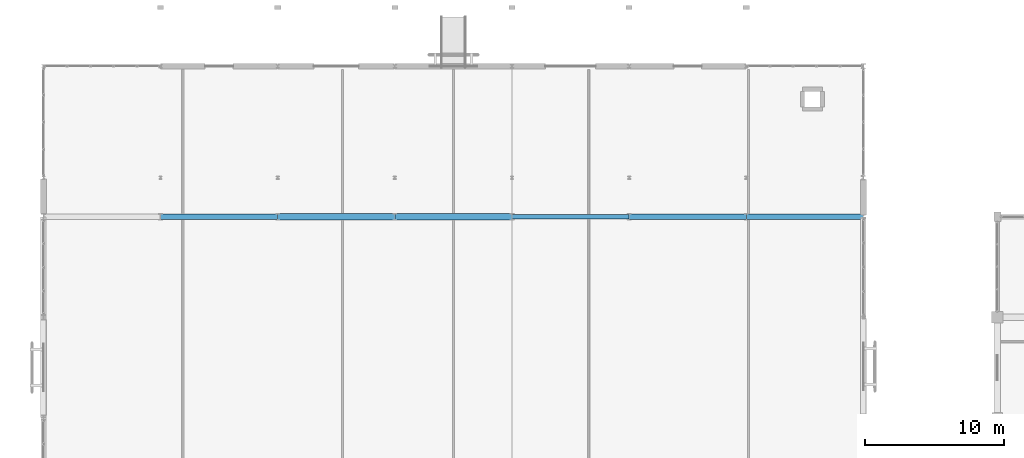
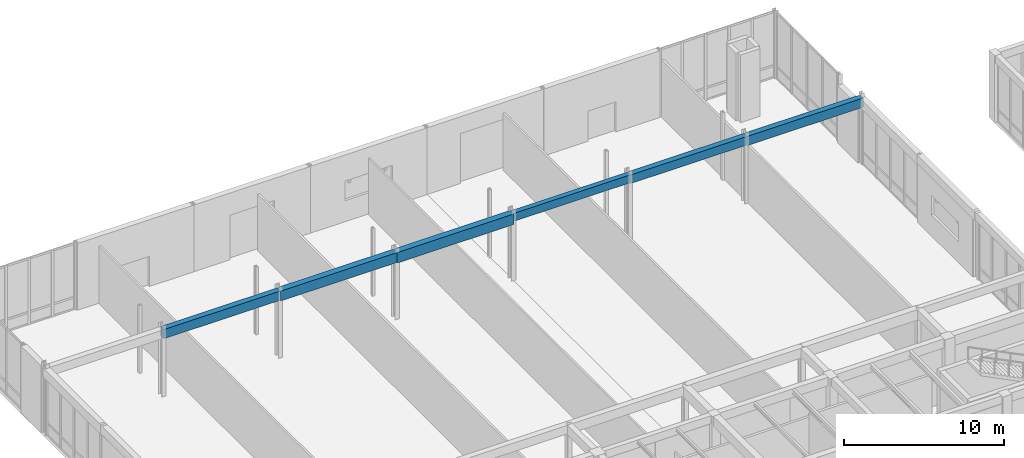
# One storey, part 81 of 169: 6 beams.
"""IFC4 building model written with IfcOpenShell, lengths in metres."""

from ifc_helpers import new_model, si_unit, direction, frame, origin, origin_2d, place, context, subcontext, project, spatial, rectangle, extrude, material, material_profile, profile_set, type_object, element, save


model = new_model("IFC4")

# Units and contexts
model_context = context("Model", 3, precision=1e-05, world=origin(), true_north=direction((0.0, 1.0)))
body_context = subcontext(model_context, "Body", "Model", "MODEL_VIEW")
ifc_project = project(units=[si_unit("LENGTHUNIT", "METRE"), si_unit("AREAUNIT", "SQUARE_METRE"), si_unit("VOLUMEUNIT", "CUBIC_METRE"), si_unit("PLANEANGLEUNIT", "RADIAN"), si_unit("MASSUNIT", "GRAM", prefix="KILO")], contexts=[model_context])

# Site, building, storey
site_placement = place(None, origin())
site = spatial("IfcSite", under=ifc_project, at=site_placement, CompositionType="ELEMENT")
building_placement = place(site_placement, origin())
building = spatial("IfcBuilding", under=site, at=building_placement, Name="Mazaris Harbour Polytechnic", CompositionType="ELEMENT")
storey_placement = place(building_placement, origin())
storey = spatial("IfcBuildingStorey", under=building, at=storey_placement, Name="L00", CompositionType="ELEMENT", Elevation=0.0)

# Beams
ifc_material_1 = material(Name="Concrete C35/45", Category="concrete")
ifc_material_profile_1 = material_profile(ifc_material_1, rectangle(XDim=0.35009765625, YDim=0.60009765625, at=origin_2d()), Name="RECT350x600")
ifc_profile_set_1 = profile_set([ifc_material_profile_1], Name="Concrete C35/45")
beam_type_1 = type_object("IfcBeamType", Name="RC Girder 350x600 Exterior", PredefinedType="BEAM", material=ifc_profile_set_1)
beam_1_placement = place(storey_placement, frame((87.60009765625, 108.0, 4.780029296875), z_axis=(1.0, 0.0, 0.0), x_axis=(0.0, 1.0, 0.0)))
element("IfcBeam", 1, at=beam_1_placement, inside=storey, type_object=beam_type_1, Name="V1 L00 Girder 200", PredefinedType="BEAM", context=body_context, shape_type="SweptSolid", body=[
    extrude(rectangle(XDim=0.35009765625, YDim=0.60009765625, at=origin_2d()), origin(), (0.0, 0.0, 1.0), 8.39990234375),
])
ifc_material_2 = material(Name="Concrete C35/45", Category="concrete")
ifc_material_profile_2 = material_profile(ifc_material_2, rectangle(XDim=0.39990234375, YDim=0.64990234375, at=origin_2d()), Name="RECT400x650")
ifc_profile_set_2 = profile_set([ifc_material_profile_2], Name="Concrete C35/45")
beam_type_2 = type_object("IfcBeamType", Name="RC Girder 400x650 Exterior", PredefinedType="BEAM", material=ifc_profile_set_2)
beam_2_placement = place(storey_placement, frame((96.0, 108.0, 4.7548828125), z_axis=(1.0, 0.0, 0.0), x_axis=(0.0, 1.0, 0.0)))
element("IfcBeam", 2, at=beam_2_placement, inside=storey, type_object=beam_type_2, Name="V1 L00 Girder 201", PredefinedType="BEAM", context=body_context, shape_type="SweptSolid", body=[
    extrude(rectangle(XDim=0.39990234375, YDim=0.64990234375, at=origin_2d()), origin(), (0.0, 0.0, 1.0), 8.39990234375),
])
ifc_material_3 = material(Name="Concrete C35/45", Category="concrete")
ifc_material_profile_3 = material_profile(ifc_material_3, rectangle(XDim=0.39990234375, YDim=0.699951171875, at=origin_2d()), Name="RECT400x700")
ifc_profile_set_3 = profile_set([ifc_material_profile_3], Name="Concrete C35/45")
beam_type_3 = type_object("IfcBeamType", Name="RC Girder 400x700 Exterior", PredefinedType="BEAM", material=ifc_profile_set_3)
for number, where, z_axis, x_axis, name in (
    (3, (62.39990234375, 108.0, 4.72998046875), (1.0, 0.0, 0.0), (0.0, 1.0, 0.0), "V1 L00 Girder 197"),
    (4, (104.39990234375, 108.0, 4.72998046875), (1.0, 0.0, 0.0), (0.0, 1.0, 0.0), "V1 L00 Girder 202"),
):
    element("IfcBeam", number, at=place(storey_placement, frame(where, z_axis=z_axis, x_axis=x_axis)), inside=storey, type_object=beam_type_3, Name=name, PredefinedType="BEAM", context=body_context, shape_type="SweptSolid", body=[
        extrude(rectangle(XDim=0.39990234375, YDim=0.699951171875, at=origin_2d()), origin(), (0.0, 0.0, 1.0), 8.400146484375),
    ])
ifc_material_4 = material(Name="Concrete C40/50", Category="concrete")
ifc_material_profile_4 = material_profile(ifc_material_4, rectangle(XDim=0.449951171875, YDim=0.75, at=origin_2d()), Name="RECT450x750")
ifc_profile_set_4 = profile_set([ifc_material_profile_4], Name="Concrete C40/50")
beam_type_4 = type_object("IfcBeamType", Name="RC Girder 450x750 Exterior", PredefinedType="BEAM", material=ifc_profile_set_4)
beam_3_placement = place(storey_placement, frame((70.800048828125, 108.0, 4.705078125), z_axis=(1.0, 0.0, 0.0), x_axis=(0.0, 1.0, 0.0)))
element("IfcBeam", 5, at=beam_3_placement, inside=storey, type_object=beam_type_4, Name="V1 L00 Girder 198", PredefinedType="BEAM", context=body_context, shape_type="SweptSolid", body=[
    extrude(rectangle(XDim=0.449951171875, YDim=0.75, at=origin_2d()), origin(), (0.0, 0.0, 1.0), 8.39990234375),
])
ifc_material_5 = material(Name="Concrete C40/50", Category="concrete")
ifc_material_profile_5 = material_profile(ifc_material_5, rectangle(XDim=0.449951171875, YDim=0.800048828125, at=origin_2d()), Name="RECT450x800")
ifc_profile_set_5 = profile_set([ifc_material_profile_5], Name="Concrete C40/50")
beam_type_5 = type_object("IfcBeamType", Name="RC Girder 450x800 Exterior", PredefinedType="BEAM", material=ifc_profile_set_5)
beam_4_placement = place(storey_placement, frame((79.199951171875, 108.0, 4.679931640625), z_axis=(1.0, 0.0, 0.0), x_axis=(0.0, 1.0, 0.0)))
element("IfcBeam", 6, at=beam_4_placement, inside=storey, type_object=beam_type_5, Name="V1 L00 Girder 199", PredefinedType="BEAM", context=body_context, shape_type="SweptSolid", body=[
    extrude(rectangle(XDim=0.449951171875, YDim=0.800048828125, at=origin_2d()), origin(), (0.0, 0.0, 1.0), 8.400146484375),
])

save(model, "model.ifc")
